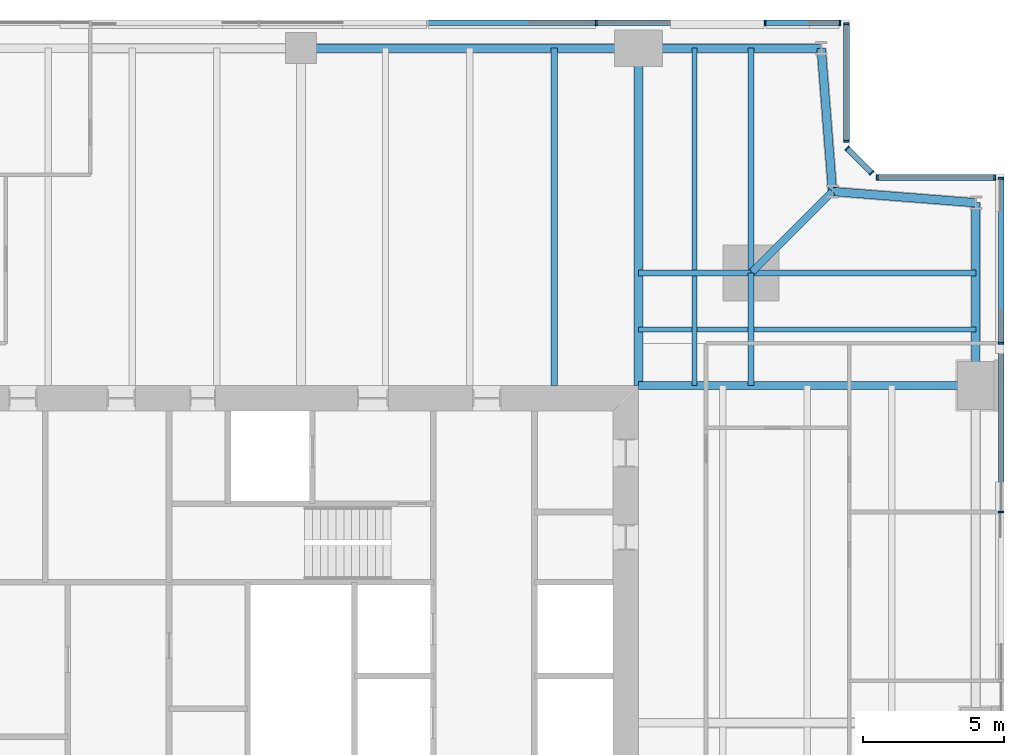
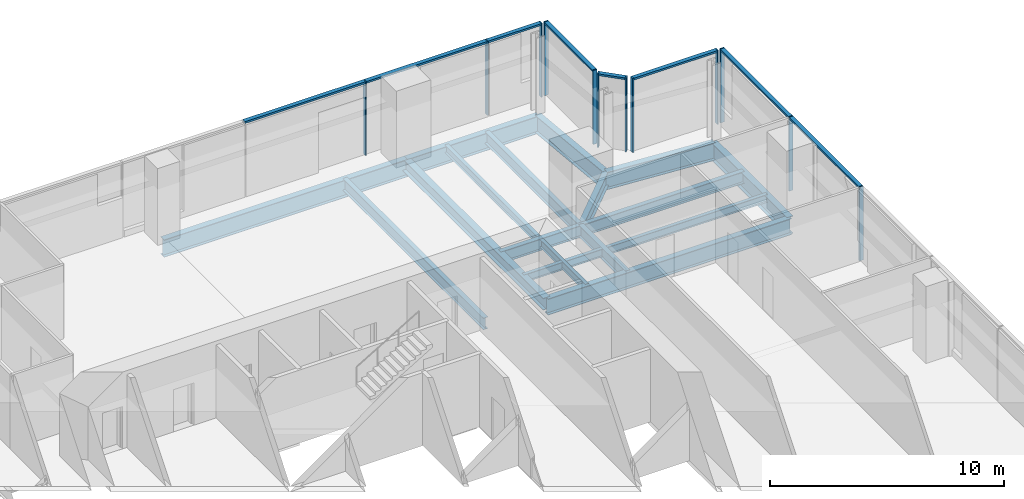
# One storey, part 7 of 14: 20 members, 18 beams, 5 elements without a shape of their own.
"""IFC4 building model written with IfcOpenShell, lengths in metres."""

from ifc_helpers import new_model, si_unit, direction, frame, origin, origin_2d, place, context, subcontext, project, spatial, rectangle, i_section, extrude, material, material_profile, profile_set, type_object, element, aggregate, save


model = new_model("IFC4")

# Units and contexts
model_context = context("Model", 3, precision=1e-05, world=origin(), true_north=direction((0.0, 1.0)))
body_context = subcontext(model_context, "Body", "Model", "MODEL_VIEW")
ifc_project = project(units=[si_unit("LENGTHUNIT", "METRE"), si_unit("AREAUNIT", "SQUARE_METRE"), si_unit("VOLUMEUNIT", "CUBIC_METRE"), si_unit("PLANEANGLEUNIT", "RADIAN"), si_unit("MASSUNIT", "GRAM", prefix="KILO")], contexts=[model_context])

# Site, building, storey
site_placement = place(None, origin())
site = spatial("IfcSite", under=ifc_project, at=site_placement, CompositionType="ELEMENT")
building_placement = place(site_placement, origin())
building = spatial("IfcBuilding", under=site, at=building_placement, Name="Fenwick Lantern Interchange", CompositionType="ELEMENT")
storey_placement = place(building_placement, frame((0.0, 0.0, 221.800048828125)))
storey = spatial("IfcBuildingStorey", under=building, at=storey_placement, Name="L52", CompositionType="ELEMENT", Elevation=221.800048828125)

# Beams
ifc_material_1 = material(Name="Steel ASTM A992 Grade 50", Category="steel")
ifc_material_profile_1 = material_profile(ifc_material_1, i_section(OverallWidth=0.3046875, OverallDepth=0.911865234375, WebThickness=0.015869140625, FlangeThickness=0.02392578125, at=origin_2d()), Name="W36X150")
ifc_profile_set_1 = profile_set([ifc_material_profile_1], Name="Steel ASTM A992 Grade 50")
beam_type_1 = type_object("IfcBeamType", Name="EDGE BEAM W36X150", PredefinedType="SPANDREL", material=ifc_profile_set_1)
beam_1_placement = place(storey_placement, frame((49.0, 37.0, -0.60595703125), z_axis=(0.0, 1.0, 0.0), x_axis=(-1.0, 0.0, 0.0)))
element("IfcBeam", 1, at=beam_1_placement, inside=storey, type_object=beam_type_1, Name="L52/FR/E/EB4", PredefinedType="SPANDREL", context=body_context, shape_type="SweptSolid", body=[
    extrude(i_section(OverallWidth=0.3046875, OverallDepth=0.911865234375, WebThickness=0.015869140625, FlangeThickness=0.02392578125, at=origin_2d()), origin(), (0.0, 0.0, 1.0), 6.5),
])
for number, where, z_axis, x_axis, name in (
    (2, (49.0, 43.5, -0.60595703125), (-0.99693998236, 0.078170784639, 0.0), (-0.078170784639, -0.99693998236, 0.0), "L52/FR/E/EBR1"),
    (3, (43.89990234375, 43.89990234375, -0.60595703125), (-0.078170784639, 0.99693998236, 0.0), (-0.99693998236, -0.078170784639, 0.0), "L52/FR/E/EBR2"),
):
    element("IfcBeam", number, at=place(storey_placement, frame(where, z_axis=z_axis, x_axis=x_axis)), inside=storey, type_object=beam_type_1, Name=name, PredefinedType="SPANDREL", context=body_context, shape_type="SweptSolid", body=[
        extrude(i_section(OverallWidth=0.3046875, OverallDepth=0.911865234375, WebThickness=0.015869140625, FlangeThickness=0.02392578125, at=origin_2d()), origin(), (0.0, 0.0, 1.0), 5.11572265625),
    ])
beam_2_placement = place(storey_placement, frame((43.5, 49.0, -0.60595703125), z_axis=(-1.0, 0.0, 0.0), x_axis=(0.0, -1.0, 0.0)))
element("IfcBeam", 4, at=beam_2_placement, inside=storey, type_object=beam_type_1, Name="L52/FR/N/EB1", PredefinedType="SPANDREL", context=body_context, shape_type="SweptSolid", body=[
    extrude(i_section(OverallWidth=0.3046875, OverallDepth=0.911865234375, WebThickness=0.015869140625, FlangeThickness=0.02392578125, at=origin_2d()), origin(), (0.0, 0.0, 1.0), 6.5),
])
beam_3_placement = place(storey_placement, frame((37.0, 49.0, -0.60595703125), z_axis=(-1.0, 0.0, 0.0), x_axis=(0.0, -1.0, 0.0)))
element("IfcBeam", 5, at=beam_3_placement, inside=storey, type_object=beam_type_1, Name="L52/FR/N/EB2", PredefinedType="SPANDREL", context=body_context, shape_type="SweptSolid", body=[
    extrude(i_section(OverallWidth=0.3046875, OverallDepth=0.911865234375, WebThickness=0.015869140625, FlangeThickness=0.02392578125, at=origin_2d()), origin(), (0.0, 0.0, 1.0), 12.0),
])
ifc_material_profile_2 = material_profile(ifc_material_1, i_section(OverallWidth=0.22900390625, OverallDepth=0.612060546875, WebThickness=0.011962890625, FlangeThickness=0.01953125, at=origin_2d()), Name="W24X84")
ifc_profile_set_2 = profile_set([ifc_material_profile_2], Name="Steel ASTM A992 Grade 50")
beam_type_2 = type_object("IfcBeamType", Name="FLOOR BEAM W24X84", PredefinedType="BEAM", material=ifc_profile_set_2)
beam_4_placement = place(storey_placement, frame((34.0, 49.0, -0.4560546875), z_axis=(0.0, -1.0, 0.0), x_axis=(1.0, 0.0, 0.0)))
element("IfcBeam", 6, at=beam_4_placement, inside=storey, type_object=beam_type_2, Name="L52/FR/N/R02", PredefinedType="BEAM", context=body_context, shape_type="SweptSolid", body=[
    extrude(i_section(OverallWidth=0.22900390625, OverallDepth=0.612060546875, WebThickness=0.011962890625, FlangeThickness=0.01953125, at=origin_2d()), origin(), (0.0, 0.0, 1.0), 12.0),
])
ifc_material_profile_3 = material_profile(ifc_material_1, i_section(OverallWidth=0.177734375, OverallDepth=0.406494140625, WebThickness=0.0078125, FlangeThickness=0.012939453125, at=origin_2d()), Name="W16X40")
ifc_profile_set_3 = profile_set([ifc_material_profile_3], Name="Steel ASTM A992 Grade 50")
beam_type_3 = type_object("IfcBeamType", Name="INFILL BEAM W16X40", PredefinedType="JOIST", material=ifc_profile_set_3)
beam_5_placement = place(storey_placement, frame((39.0, 49.0, -0.353271484375), z_axis=(0.0, -1.0, 0.0), x_axis=(1.0, 0.0, 0.0)))
element("IfcBeam", 7, at=beam_5_placement, inside=storey, type_object=beam_type_3, Name="L52/FR/N/J1", PredefinedType="JOIST", context=body_context, shape_type="SweptSolid", body=[
    extrude(i_section(OverallWidth=0.177734375, OverallDepth=0.406494140625, WebThickness=0.0078125, FlangeThickness=0.012939453125, at=origin_2d()), origin(), (0.0, 0.0, 1.0), 7.885498046875),
])
beam_6_placement = place(storey_placement, frame((39.0, 40.885498046875, -0.353271484375), z_axis=(0.0, -1.0, 0.0), x_axis=(1.0, 0.0, 0.0)))
element("IfcBeam", 8, at=beam_6_placement, inside=storey, type_object=beam_type_3, Name="L52/FR/N/J2", PredefinedType="JOIST", context=body_context, shape_type="SweptSolid", body=[
    extrude(i_section(OverallWidth=0.177734375, OverallDepth=0.406494140625, WebThickness=0.0078125, FlangeThickness=0.012939453125, at=origin_2d()), origin(), (0.0, 0.0, 1.0), 3.885498046875),
])
beam_7_placement = place(storey_placement, frame((49.0, 39.0, -0.353271484375), z_axis=(-1.0, 0.0, 0.0), x_axis=(0.0, -1.0, 0.0)))
element("IfcBeam", 9, at=beam_7_placement, inside=storey, type_object=beam_type_3, Name="L52/FR/N/J3", PredefinedType="JOIST", context=body_context, shape_type="SweptSolid", body=[
    extrude(i_section(OverallWidth=0.177734375, OverallDepth=0.406494140625, WebThickness=0.0078125, FlangeThickness=0.012939453125, at=origin_2d()), origin(), (0.0, 0.0, 1.0), 7.885498046875),
])
beam_8_placement = place(storey_placement, frame((40.885498046875, 39.0, -0.353271484375), z_axis=(-1.0, 0.0, 0.0), x_axis=(0.0, -1.0, 0.0)))
element("IfcBeam", 10, at=beam_8_placement, inside=storey, type_object=beam_type_3, Name="L52/FR/N/J4", PredefinedType="JOIST", context=body_context, shape_type="SweptSolid", body=[
    extrude(i_section(OverallWidth=0.177734375, OverallDepth=0.406494140625, WebThickness=0.0078125, FlangeThickness=0.012939453125, at=origin_2d()), origin(), (0.0, 0.0, 1.0), 1.796630859375),
])
beam_9_placement = place(storey_placement, frame((38.9111328125, 39.0, -0.353271484375), z_axis=(-1.0, 0.0, 0.0), x_axis=(0.0, -1.0, 0.0)))
element("IfcBeam", 11, at=beam_9_placement, inside=storey, type_object=beam_type_3, Name="L52/FR/N/J5", PredefinedType="JOIST", context=body_context, shape_type="SweptSolid", body=[
    extrude(i_section(OverallWidth=0.177734375, OverallDepth=0.406494140625, WebThickness=0.0078125, FlangeThickness=0.012939453125, at=origin_2d()), origin(), (0.0, 0.0, 1.0), 1.9111328125),
])
ifc_material_profile_4 = material_profile(ifc_material_1, i_section(OverallWidth=0.22900390625, OverallDepth=0.612060546875, WebThickness=0.011962890625, FlangeThickness=0.01953125, at=origin_2d()), Name="W24X84")
ifc_profile_set_4 = profile_set([ifc_material_profile_4], Name="Steel ASTM A992 Grade 50")
beam_type_4 = type_object("IfcBeamType", Name="MEGA COLUMN BEAM W24X84", PredefinedType="BEAM", material=ifc_profile_set_4)
for number, where, z_axis, x_axis, name in (
    (12, (41.0, 41.0, -0.4560546875), (0.0, 1.0, 0.0), (-1.0, 0.0, 0.0), "L52/FR/N/MB1"),
    (13, (41.0, 41.0, -0.4560546875), (1.0, 0.0, 0.0), (0.0, 1.0, 0.0), "L52/FR/N/MB2"),
):
    element("IfcBeam", number, at=place(storey_placement, frame(where, z_axis=z_axis, x_axis=x_axis)), inside=storey, type_object=beam_type_4, Name=name, PredefinedType="BEAM", context=body_context, shape_type="SweptSolid", body=[
        extrude(i_section(OverallWidth=0.22900390625, OverallDepth=0.612060546875, WebThickness=0.011962890625, FlangeThickness=0.01953125, at=origin_2d()), origin(), (0.0, 0.0, 1.0), 8.0),
    ])
for number, where, z_axis, x_axis, name in (
    (14, (41.0, 41.0, -0.4560546875), (-1.0, 0.0, 0.0), (0.0, -1.0, 0.0), "L52/FR/N/MB3"),
    (15, (41.0, 41.0, -0.4560546875), (0.0, -1.0, 0.0), (1.0, 0.0, 0.0), "L52/FR/N/MB4"),
):
    element("IfcBeam", number, at=place(storey_placement, frame(where, z_axis=z_axis, x_axis=x_axis)), inside=storey, type_object=beam_type_4, Name=name, PredefinedType="BEAM", context=body_context, shape_type="SweptSolid", body=[
        extrude(i_section(OverallWidth=0.22900390625, OverallDepth=0.612060546875, WebThickness=0.011962890625, FlangeThickness=0.01953125, at=origin_2d()), origin(), (0.0, 0.0, 1.0), 4.0),
    ])
ifc_material_profile_5 = material_profile(ifc_material_1, i_section(OverallWidth=0.32763671875, OverallDepth=0.622314453125, WebThickness=0.015380859375, FlangeThickness=0.0244140625, at=origin_2d()), Name="W24X131")
ifc_profile_set_5 = profile_set([ifc_material_profile_5], Name="Steel ASTM A992 Grade 50")
beam_type_5 = type_object("IfcBeamType", Name="MOMENT-CONNECTED GIRDER W24X131", PredefinedType="BEAM", material=ifc_profile_set_5)
beam_10_placement = place(storey_placement, frame((37.0, 49.0, -0.461181640625), z_axis=(0.0, -1.0, 0.0), x_axis=(1.0, 0.0, 0.0)))
element("IfcBeam", 16, at=beam_10_placement, inside=storey, type_object=beam_type_5, Name="L52/FR/N/R01", PredefinedType="BEAM", context=body_context, shape_type="SweptSolid", body=[
    extrude(i_section(OverallWidth=0.32763671875, OverallDepth=0.622314453125, WebThickness=0.015380859375, FlangeThickness=0.0244140625, at=origin_2d()), origin(), (0.0, 0.0, 1.0), 12.0),
])
ifc_material_profile_6 = material_profile(ifc_material_1, i_section(OverallWidth=0.2919921875, OverallDepth=0.845703125, WebThickness=0.015380859375, FlangeThickness=0.0244140625, at=origin_2d()), Name="W33X141")
ifc_profile_set_6 = profile_set([ifc_material_profile_6], Name="Steel ASTM A992 Grade 50")
beam_type_6 = type_object("IfcBeamType", Name="MOMENT-CONNECTED GIRDER W33X141", PredefinedType="BEAM", material=ifc_profile_set_6)
beam_11_placement = place(storey_placement, frame((49.0, 37.0, -0.572998046875), z_axis=(-1.0, 0.0, 0.0), x_axis=(0.0, -1.0, 0.0)))
element("IfcBeam", 17, at=beam_11_placement, inside=storey, type_object=beam_type_6, Name="L52/FR/E/R03", PredefinedType="BEAM", context=body_context, shape_type="SweptSolid", body=[
    extrude(i_section(OverallWidth=0.2919921875, OverallDepth=0.845703125, WebThickness=0.015380859375, FlangeThickness=0.0244140625, at=origin_2d()), origin(), (0.0, 0.0, 1.0), 12.0),
])
ifc_material_profile_7 = material_profile(ifc_material_1, i_section(OverallWidth=0.2666015625, OverallDepth=0.7568359375, WebThickness=0.013916015625, FlangeThickness=0.019287109375, at=origin_2d()), Name="W30X108")
ifc_profile_set_7 = profile_set([ifc_material_profile_7], Name="Steel ASTM A992 Grade 50")
beam_type_7 = type_object("IfcBeamType", Name="NOTCH BEAM W30X108", PredefinedType="BEAM", material=ifc_profile_set_7)
beam_12_placement = place(storey_placement, frame((41.0, 41.0, -0.528564453125), z_axis=(0.707106781187, 0.707106781187, 0.0), x_axis=(-0.707106781187, 0.707106781187, 0.0)))
element("IfcBeam", 18, at=beam_12_placement, inside=storey, type_object=beam_type_7, Name="L52/FR/N/TG", PredefinedType="BEAM", context=body_context, shape_type="SweptSolid", body=[
    extrude(i_section(OverallWidth=0.2666015625, OverallDepth=0.7568359375, WebThickness=0.013916015625, FlangeThickness=0.019287109375, at=origin_2d()), origin(), (0.0, 0.0, 1.0), 4.10107421875),
])

# Curtain wall, members
ifc_material_2 = material(Name="Aluminium curtain wall frame", Category="aluminium")
curtain_wall_type = type_object("IfcCurtainWallType", Name="OFFICE CURTAIN WALL", PredefinedType="USERDEFINED", material=ifc_material_2)
curtain_wall_1_placement = place(storey_placement, origin())
curtain_wall_1 = element("IfcCurtainWall", 19, at=curtain_wall_1_placement, inside=storey, type_object=curtain_wall_type, Name="Office curtain wall 05", ObjectType="OFFICE CURTAIN WALL", PredefinedType="USERDEFINED")
ifc_material_3 = material(Name="Aluminium extrusion", Category="aluminium")
ifc_material_profile_8 = material_profile(ifc_material_3, rectangle(XDim=0.199951171875, YDim=0.06494140625, at=origin_2d()), Name="OFFICE CURTAIN WALL MULLION 65 X 200")
ifc_profile_set_8 = profile_set([ifc_material_profile_8], Name="Aluminium extrusion")
member_type_1 = type_object("IfcMemberType", Name="OFFICE CURTAIN WALL MULLION 65 X 200", PredefinedType="MULLION", material=ifc_profile_set_8)
member_1_placement = place(storey_placement, frame((49.89990234375, 32.5, 0.0), z_axis=(0.0, 0.0, 1.0), x_axis=(-1.0, 0.0, 0.0)))
member_1 = element("IfcMember", 20, at=member_1_placement, type_object=member_type_1, Name="L52/CW/05/M05", PredefinedType="MULLION", context=body_context, shape_type="SweptSolid", body=[
    extrude(rectangle(XDim=0.199951171875, YDim=0.06494140625, at=origin_2d()), origin(), (0.0, 0.0, 1.0), 3.849853515625),
])
member_2_placement = place(storey_placement, frame((49.89990234375, 38.5, 0.0), z_axis=(0.0, 0.0, 1.0), x_axis=(-1.0, 0.0, 0.0)))
member_2 = element("IfcMember", 21, at=member_2_placement, type_object=member_type_1, Name="L52/CW/05/M06", PredefinedType="MULLION", context=body_context, shape_type="SweptSolid", body=[
    extrude(rectangle(XDim=0.199951171875, YDim=0.06494140625, at=origin_2d()), origin(), (0.0, 0.0, 1.0), 3.849853515625),
])
member_3_placement = place(storey_placement, frame((49.89990234375, 44.367431640625, 0.0), z_axis=(0.0, 0.0, 1.0), x_axis=(-1.0, 0.0, 0.0)))
member_3 = element("IfcMember", 22, at=member_3_placement, type_object=member_type_1, Name="L52/CW/05/M07", PredefinedType="MULLION", context=body_context, shape_type="SweptSolid", body=[
    extrude(rectangle(XDim=0.199951171875, YDim=0.06494140625, at=origin_2d()), origin(), (0.0, 0.0, 1.0), 3.849853515625),
])

curtain_wall_2_placement = place(storey_placement, origin())
curtain_wall_2 = element("IfcCurtainWall", 23, at=curtain_wall_2_placement, inside=storey, type_object=curtain_wall_type, Name="Office curtain wall 06", ObjectType="OFFICE CURTAIN WALL", PredefinedType="USERDEFINED")
member_4_placement = place(storey_placement, frame((49.66748046875, 44.39990234375, 0.0), z_axis=(0.0, 0.0, 1.0), x_axis=(0.0, -1.0, 0.0)))
member_4 = element("IfcMember", 24, at=member_4_placement, type_object=member_type_1, Name="L52/CW/06/M00", PredefinedType="MULLION", context=body_context, shape_type="SweptSolid", body=[
    extrude(rectangle(XDim=0.199951171875, YDim=0.06494140625, at=origin_2d()), origin(), (0.0, 0.0, 1.0), 3.849853515625),
])
member_5_placement = place(storey_placement, frame((45.490966796875, 44.39990234375, 0.0), z_axis=(0.0, 0.0, 1.0), x_axis=(0.0, -1.0, 0.0)))
member_5 = element("IfcMember", 25, at=member_5_placement, type_object=member_type_1, Name="L52/CW/06/M01", PredefinedType="MULLION", context=body_context, shape_type="SweptSolid", body=[
    extrude(rectangle(XDim=0.199951171875, YDim=0.06494140625, at=origin_2d()), origin(), (0.0, 0.0, 1.0), 3.849853515625),
])

curtain_wall_3_placement = place(storey_placement, origin())
curtain_wall_3 = element("IfcCurtainWall", 26, at=curtain_wall_3_placement, inside=storey, type_object=curtain_wall_type, Name="Office curtain wall 07", ObjectType="OFFICE CURTAIN WALL", PredefinedType="USERDEFINED")
member_6_placement = place(storey_placement, frame((45.294189453125, 44.564453125, 0.0), z_axis=(0.0, 0.0, 1.0), x_axis=(-0.707106781187, -0.707106781187, 0.0)))
member_6 = element("IfcMember", 27, at=member_6_placement, type_object=member_type_1, Name="L52/CW/07/M00", PredefinedType="MULLION", context=body_context, shape_type="SweptSolid", body=[
    extrude(rectangle(XDim=0.199951171875, YDim=0.06494140625, at=origin_2d()), origin(), (0.0, 0.0, 1.0), 3.849853515625),
])
member_7_placement = place(storey_placement, frame((44.423095703125, 45.435546875, 0.0), z_axis=(0.0, 0.0, 1.0), x_axis=(-0.707106781187, -0.707106781187, 0.0)))
member_7 = element("IfcMember", 28, at=member_7_placement, type_object=member_type_1, Name="L52/CW/07/M01", PredefinedType="MULLION", context=body_context, shape_type="SweptSolid", body=[
    extrude(rectangle(XDim=0.199951171875, YDim=0.06494140625, at=origin_2d()), origin(), (0.0, 0.0, 1.0), 3.849853515625),
])

curtain_wall_4_placement = place(storey_placement, origin())
curtain_wall_4 = element("IfcCurtainWall", 29, at=curtain_wall_4_placement, inside=storey, type_object=curtain_wall_type, Name="Office curtain wall 08", ObjectType="OFFICE CURTAIN WALL", PredefinedType="USERDEFINED")
member_8_placement = place(storey_placement, frame((44.39990234375, 45.691162109375, 0.0), z_axis=(0.0, 0.0, 1.0), x_axis=(-1.0, 0.0, 0.0)))
member_8 = element("IfcMember", 30, at=member_8_placement, type_object=member_type_1, Name="L52/CW/08/M00", PredefinedType="MULLION", context=body_context, shape_type="SweptSolid", body=[
    extrude(rectangle(XDim=0.199951171875, YDim=0.06494140625, at=origin_2d()), origin(), (0.0, 0.0, 1.0), 3.849853515625),
])
member_9_placement = place(storey_placement, frame((44.39990234375, 49.867431640625, 0.0), z_axis=(0.0, 0.0, 1.0), x_axis=(-1.0, 0.0, 0.0)))
member_9 = element("IfcMember", 31, at=member_9_placement, type_object=member_type_1, Name="L52/CW/08/M01", PredefinedType="MULLION", context=body_context, shape_type="SweptSolid", body=[
    extrude(rectangle(XDim=0.199951171875, YDim=0.06494140625, at=origin_2d()), origin(), (0.0, 0.0, 1.0), 3.849853515625),
])

curtain_wall_5_placement = place(storey_placement, origin())
curtain_wall_5 = element("IfcCurtainWall", 32, at=curtain_wall_5_placement, inside=storey, type_object=curtain_wall_type, Name="Office curtain wall 09", ObjectType="OFFICE CURTAIN WALL", PredefinedType="USERDEFINED")
member_10_placement = place(storey_placement, frame((44.16748046875, 49.89990234375, 0.0), z_axis=(0.0, 0.0, 1.0), x_axis=(0.0, -1.0, 0.0)))
member_10 = element("IfcMember", 33, at=member_10_placement, type_object=member_type_1, Name="L52/CW/09/M00", PredefinedType="MULLION", context=body_context, shape_type="SweptSolid", body=[
    extrude(rectangle(XDim=0.199951171875, YDim=0.06494140625, at=origin_2d()), origin(), (0.0, 0.0, 1.0), 3.849853515625),
])
member_11_placement = place(storey_placement, frame((41.5, 49.89990234375, 0.0), z_axis=(0.0, 0.0, 1.0), x_axis=(0.0, -1.0, 0.0)))
member_11 = element("IfcMember", 34, at=member_11_placement, type_object=member_type_1, Name="L52/CW/09/M01", PredefinedType="MULLION", context=body_context, shape_type="SweptSolid", body=[
    extrude(rectangle(XDim=0.199951171875, YDim=0.06494140625, at=origin_2d()), origin(), (0.0, 0.0, 1.0), 3.849853515625),
])
member_12_placement = place(storey_placement, frame((35.5, 49.89990234375, 0.0), z_axis=(0.0, 0.0, 1.0), x_axis=(0.0, -1.0, 0.0)))
member_12 = element("IfcMember", 35, at=member_12_placement, type_object=member_type_1, Name="L52/CW/09/M02", PredefinedType="MULLION", context=body_context, shape_type="SweptSolid", body=[
    extrude(rectangle(XDim=0.199951171875, YDim=0.06494140625, at=origin_2d()), origin(), (0.0, 0.0, 1.0), 3.849853515625),
])

# Member
ifc_material_profile_9 = material_profile(ifc_material_3, rectangle(XDim=0.199951171875, YDim=0.10009765625, at=origin_2d()), Name="OFFICE CURTAIN WALL TRANSOM 100 X 200")
ifc_profile_set_9 = profile_set([ifc_material_profile_9], Name="Aluminium extrusion")
member_type_2 = type_object("IfcMemberType", Name="OFFICE CURTAIN WALL TRANSOM 100 X 200", PredefinedType="MULLION", material=ifc_profile_set_9)
member_13_placement = place(storey_placement, frame((49.89990234375, 32.532470703125, 3.800048828125), z_axis=(0.0, 1.0, 0.0), x_axis=(-1.0, 0.0, 0.0)))
member_13 = element("IfcMember", 36, at=member_13_placement, type_object=member_type_2, Name="L52/CW/05/T05", PredefinedType="MULLION", context=body_context, shape_type="SweptSolid", body=[
    extrude(rectangle(XDim=0.199951171875, YDim=0.10009765625, at=origin_2d()), origin(), (0.0, 0.0, 1.0), 5.93505859375),
])

member_14_placement = place(storey_placement, frame((49.89990234375, 38.532470703125, 3.800048828125), z_axis=(0.0, 1.0, 0.0), x_axis=(-1.0, 0.0, 0.0)))
member_14 = element("IfcMember", 37, at=member_14_placement, type_object=member_type_2, Name="L52/CW/05/T06", PredefinedType="MULLION", context=body_context, shape_type="SweptSolid", body=[
    extrude(rectangle(XDim=0.199951171875, YDim=0.10009765625, at=origin_2d()), origin(), (0.0, 0.0, 1.0), 5.802490234375),
])

aggregate(curtain_wall_1, [member_1, member_2, member_3, member_13, member_14])

member_15_placement = place(storey_placement, frame((49.635009765625, 44.39990234375, 3.800048828125), z_axis=(-1.0, 0.0, 0.0), x_axis=(0.0, -1.0, 0.0)))
member_15 = element("IfcMember", 38, at=member_15_placement, type_object=member_type_2, Name="L52/CW/06/T00", PredefinedType="MULLION", context=body_context, shape_type="SweptSolid", body=[
    extrude(rectangle(XDim=0.199951171875, YDim=0.10009765625, at=origin_2d()), origin(), (0.0, 0.0, 1.0), 4.111328125),
])

aggregate(curtain_wall_2, [member_4, member_5, member_15])

member_16_placement = place(storey_placement, frame((45.271240234375, 44.58740234375, 3.800048828125), z_axis=(-0.707106781187, 0.707106781187, 0.0), x_axis=(-0.707106781187, -0.707106781187, 0.0)))
member_16 = element("IfcMember", 39, at=member_16_placement, type_object=member_type_2, Name="L52/CW/07/T00", PredefinedType="MULLION", context=body_context, shape_type="SweptSolid", body=[
    extrude(rectangle(XDim=0.199951171875, YDim=0.10009765625, at=origin_2d()), origin(), (0.0, 0.0, 1.0), 1.1669921875),
])

aggregate(curtain_wall_3, [member_6, member_7, member_16])

member_17_placement = place(storey_placement, frame((44.39990234375, 45.7236328125, 3.800048828125), z_axis=(0.0, 1.0, 0.0), x_axis=(-1.0, 0.0, 0.0)))
member_17 = element("IfcMember", 40, at=member_17_placement, type_object=member_type_2, Name="L52/CW/08/T00", PredefinedType="MULLION", context=body_context, shape_type="SweptSolid", body=[
    extrude(rectangle(XDim=0.199951171875, YDim=0.10009765625, at=origin_2d()), origin(), (0.0, 0.0, 1.0), 4.111328125),
])

aggregate(curtain_wall_4, [member_8, member_9, member_17])

member_18_placement = place(storey_placement, frame((44.135009765625, 49.89990234375, 3.800048828125), z_axis=(-1.0, 0.0, 0.0), x_axis=(0.0, -1.0, 0.0)))
member_18 = element("IfcMember", 41, at=member_18_placement, type_object=member_type_2, Name="L52/CW/09/T00", PredefinedType="MULLION", context=body_context, shape_type="SweptSolid", body=[
    extrude(rectangle(XDim=0.199951171875, YDim=0.10009765625, at=origin_2d()), origin(), (0.0, 0.0, 1.0), 2.6025390625),
])

member_19_placement = place(storey_placement, frame((41.467529296875, 49.89990234375, 3.800048828125), z_axis=(-1.0, 0.0, 0.0), x_axis=(0.0, -1.0, 0.0)))
member_19 = element("IfcMember", 42, at=member_19_placement, type_object=member_type_2, Name="L52/CW/09/T01", PredefinedType="MULLION", context=body_context, shape_type="SweptSolid", body=[
    extrude(rectangle(XDim=0.199951171875, YDim=0.10009765625, at=origin_2d()), origin(), (0.0, 0.0, 1.0), 5.93505859375),
])

member_20_placement = place(storey_placement, frame((35.467529296875, 49.89990234375, 3.800048828125), z_axis=(-1.0, 0.0, 0.0), x_axis=(0.0, -1.0, 0.0)))
member_20 = element("IfcMember", 43, at=member_20_placement, type_object=member_type_2, Name="L52/CW/09/T02", PredefinedType="MULLION", context=body_context, shape_type="SweptSolid", body=[
    extrude(rectangle(XDim=0.199951171875, YDim=0.10009765625, at=origin_2d()), origin(), (0.0, 0.0, 1.0), 5.93505859375),
])

aggregate(curtain_wall_5, [member_10, member_11, member_12, member_18, member_19, member_20])

save(model, "model.ifc")
